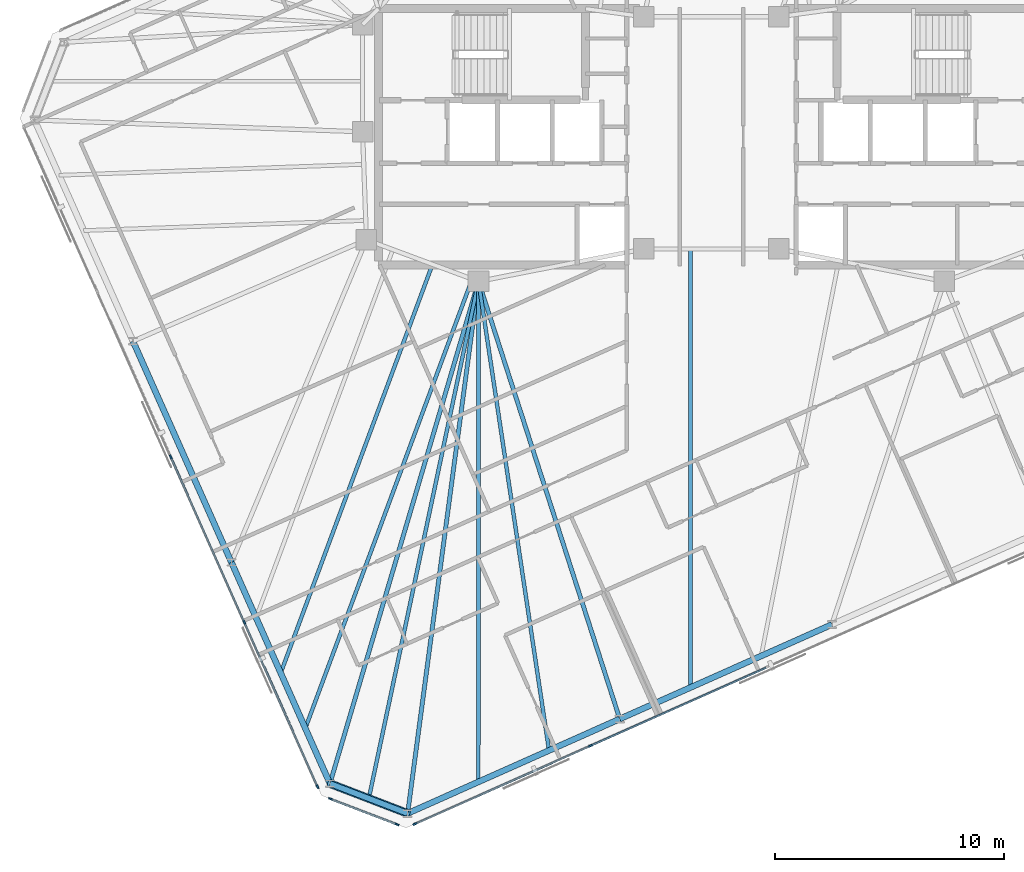
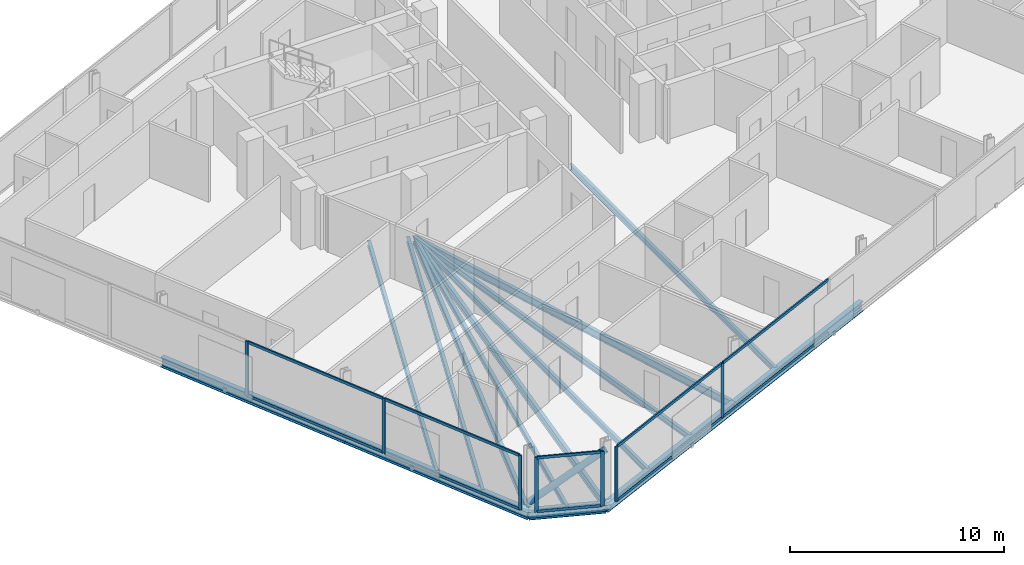
# One storey, part 5 of 19: 18 members, 14 beams, 3 elements without a shape of their own.
"""IFC4 building model written with IfcOpenShell, lengths in metres."""

import ifcopenshell
import ifcopenshell.guid

model = None  # the IFC model being written
_history = None  # IfcOwnerHistory: only IFC2X3 demands one
_inside = {}  # id of a spatial element -> (the spatial element, [elements in it])
_under = {}  # id of a project, library or spatial element -> (it, [spatial elements below it])
_declared = {}  # id of a project -> (the project, [libraries it declares])
_typed = {}  # id of a type object -> (the type object, [elements of that type])
_made_of = {}  # id of a material, layer set ... -> (it, [elements and type objects made of it])


def new_model(schema):
    """Start an empty IFC model of exactly this schema.

    Asked for "IFC4X3", IfcOpenShell would pick the latest addendum, in which some entities
    have other attributes; the version numbers below select the first issue.
    IFC2X3 requires an IfcOwnerHistory on every rooted entity: one is made here for all.
    """
    global model, _history
    if schema == "IFC4X3":
        model = ifcopenshell.file(schema_version=(4, 3, 0, 0))
    else:
        model = ifcopenshell.file(schema=schema)
    _inside.clear()
    _under.clear()
    _declared.clear()
    _typed.clear()
    _made_of.clear()
    _history = None
    if model.schema == "IFC2X3":
        org = make("IfcOrganization", Name="unknown")
        user = make(
            "IfcPersonAndOrganization",
            ThePerson=make("IfcPerson", FamilyName="unknown"),
            TheOrganization=org,
        )
        app = make(
            "IfcApplication",
            ApplicationDeveloper=org,
            Version="unknown",
            ApplicationFullName="unknown",
            ApplicationIdentifier="unknown",
        )
        _history = make(
            "IfcOwnerHistory",
            OwningUser=user,
            OwningApplication=app,
            ChangeAction="ADDED",
            CreationDate=0,
        )
    return model


def make(cls, **values):
    """One entity of the class cls with the attributes given. An attribute that is None is left unset."""
    return model.create_entity(
        cls, **{name: value for name, value in values.items() if value is not None}
    )


def rooted(cls, **values):
    """An entity with a GlobalId (a new one), such as an element, a storey or a relation."""
    return make(cls, GlobalId=ifcopenshell.guid.new(), OwnerHistory=_history, **values)


def si_unit(unit_type, name, prefix=None):
    """IfcSIUnit, for example si_unit("LENGTHUNIT", "METRE", prefix="MILLI")."""
    return make("IfcSIUnit", UnitType=unit_type, Prefix=prefix, Name=name)


def assignment(units):
    """IfcUnitAssignment: the units of a project."""
    return None if units is None else make("IfcUnitAssignment", Units=units)


def point(xyz):
    """IfcCartesianPoint."""
    return None if xyz is None else make("IfcCartesianPoint", Coordinates=xyz)


def direction(xyz):
    """IfcDirection."""
    return None if xyz is None else make("IfcDirection", DirectionRatios=xyz)


def frame(location, z_axis=None, x_axis=None):
    """IfcAxis2Placement3D, a coordinate frame: its origin and axes. An axis left out is left unset."""
    return make(
        "IfcAxis2Placement3D",
        Location=point(location),
        Axis=direction(z_axis),
        RefDirection=direction(x_axis),
    )


def frame_2d(location, x_axis=None):
    """IfcAxis2Placement2D, a coordinate frame in the plane: its origin and x axis."""
    return make(
        "IfcAxis2Placement2D", Location=point(location), RefDirection=direction(x_axis)
    )


def origin():
    """The frame at (0, 0, 0) with its axes left unset."""
    return frame((0.0, 0.0, 0.0))


def origin_2d():
    """The frame at (0, 0) in the plane with its x axis left unset."""
    return frame_2d((0.0, 0.0))


def place(relative_to, where):
    """IfcLocalPlacement: puts the frame where relative to a parent placement (None: the world)."""
    return make(
        "IfcLocalPlacement", PlacementRelTo=relative_to, RelativePlacement=where
    )


def context(
    kind, dimensions, precision=None, world=None, true_north=None, identifier=None
):
    """IfcGeometricRepresentationContext, for example the 3D "Model" context."""
    return make(
        "IfcGeometricRepresentationContext",
        ContextIdentifier=identifier,
        ContextType=kind,
        CoordinateSpaceDimension=dimensions,
        Precision=precision,
        WorldCoordinateSystem=world,
        TrueNorth=true_north,
    )


def subcontext(parent, identifier, kind, view, scale=None):
    """IfcGeometricRepresentationSubContext, for example "Body" below "Model"."""
    return make(
        "IfcGeometricRepresentationSubContext",
        ContextIdentifier=identifier,
        ContextType=kind,
        ParentContext=parent,
        TargetScale=scale,
        TargetView=view,
    )


def project(units=None, contexts=None):
    """IfcProject with its units and contexts."""
    return rooted(
        "IfcProject",
        Name="project",
        RepresentationContexts=contexts,
        UnitsInContext=assignment(units),
    )


def spatial(cls, under=None, at=None, **own):
    """A site, building, storey or space (cls), placed at a placement, below another one or the project."""
    s = rooted(cls, ObjectPlacement=at, **own)
    if under is not None:
        _under.setdefault(under.id(), (under, []))[1].append(s)
    return s


def profile(cls, at=None, kind="AREA", **sizes):
    """A parametric profile (cls). Its sizes go by their IFC names, for example OverallWidth=200.0."""
    return make(cls, ProfileType=kind, Position=at, **sizes)


def rectangle(**sizes):
    """IfcRectangleProfileDef."""
    return profile("IfcRectangleProfileDef", **sizes)


def hollow_circle(**sizes):
    """IfcCircleHollowProfileDef."""
    return profile("IfcCircleHollowProfileDef", **sizes)


def i_section(**sizes):
    """IfcIShapeProfileDef."""
    return profile("IfcIShapeProfileDef", **sizes)


def extrude(swept, where, along, depth):
    """IfcExtrudedAreaSolid: the profile swept, set in the frame where, extruded along a direction by depth."""
    return make(
        "IfcExtrudedAreaSolid",
        SweptArea=swept,
        Position=where,
        ExtrudedDirection=direction(along),
        Depth=depth,
    )


def shape(context_of_items, identifier, shape_type, items):
    """IfcShapeRepresentation: the items that make up one representation, for example the "Body"."""
    return make(
        "IfcShapeRepresentation",
        ContextOfItems=context_of_items,
        RepresentationIdentifier=identifier,
        RepresentationType=shape_type,
        Items=items,
    )


def material(Name=None, Category=None):
    """IfcMaterial."""
    return make("IfcMaterial", Name=Name, Category=Category)


def material_profile(
    of_material, cross_section, Name=None, Category=None, Priority=None
):
    """IfcMaterialProfile: a cross section and its material."""
    return make(
        "IfcMaterialProfile",
        Name=Name,
        Material=of_material,
        Profile=cross_section,
        Priority=Priority,
        Category=Category,
    )


def profile_set(profiles, Name=None, composite=None):
    """IfcMaterialProfileSet."""
    return make(
        "IfcMaterialProfileSet",
        Name=Name,
        MaterialProfiles=profiles,
        CompositeProfile=composite,
    )


def made_of(thing, what):
    """Note that an element or type object is made of a material, layer set ...; save() writes the relation."""
    if what is not None:
        _made_of.setdefault(what.id(), (what, []))[1].append(thing)
    return thing


def type_object(cls, material=None, **own):
    """A type object (cls), such as IfcWallType, which elements share."""
    return made_of(rooted(cls, **own), material)


def element(
    cls,
    number,
    at=None,
    inside=None,
    cuts=None,
    type_object=None,
    material=None,
    context=None,
    identifier="Body",
    shape_type=None,
    held_by="IfcProductDefinitionShape",
    body=None,
    shapes=None,
    **own,
):
    """One element of the class cls, such as IfcWall. Its Tag is "e" and its number.

    at: its placement. inside: the storey or other place that contains it. cuts: it is an
    opening in that element (IfcRelVoidsElement). A single representation is given by context,
    identifier, shape_type and body (its items); several are given by shapes. held_by: the class
    of the entity that holds the representations. save() writes the other relations.
    """
    e = rooted(cls, Tag="e%d" % number, ObjectPlacement=at, **own)
    if body is not None:
        shapes = [shape(context, identifier, shape_type, body)]
    if shapes is not None:
        e.Representation = make(held_by, Representations=shapes)
    if inside is not None:
        _inside.setdefault(inside.id(), (inside, []))[1].append(e)
    if cuts is not None:
        rooted(
            "IfcRelVoidsElement", RelatingBuildingElement=cuts, RelatedOpeningElement=e
        )
    if type_object is not None:
        _typed.setdefault(type_object.id(), (type_object, []))[1].append(e)
    return made_of(e, material)


def aggregate(whole, parts):
    """IfcRelAggregates: a whole, such as a stair, and the parts it consists of."""
    return rooted("IfcRelAggregates", RelatingObject=whole, RelatedObjects=parts)


def save(model, path):
    """Write the relations noted so far, then the file.

    IfcRelAggregates (storeys below a building ...), IfcRelContainedInSpatialStructure (elements
    in a storey), IfcRelDefinesByType, IfcRelAssociatesMaterial and IfcRelDeclares: one each for
    every whole, place, type object, material and project.
    """
    for whole, parts in _under.values():
        aggregate(whole, parts)
    for where, things in _inside.values():
        rooted(
            "IfcRelContainedInSpatialStructure",
            RelatedElements=things,
            RelatingStructure=where,
        )
    for kind, things in _typed.values():
        rooted("IfcRelDefinesByType", RelatedObjects=things, RelatingType=kind)
    for what, things in _made_of.values():
        rooted("IfcRelAssociatesMaterial", RelatedObjects=things, RelatingMaterial=what)
    for by, libraries in _declared.values():
        rooted("IfcRelDeclares", RelatingContext=by, RelatedDefinitions=libraries)
    model.write(path)


model = new_model("IFC4")

# Units and contexts
model_context = context("Model", 3, precision=1e-05, world=origin(), true_north=direction((0.0, 1.0)))
body_context = subcontext(model_context, "Body", "Model", "MODEL_VIEW")
ifc_project = project(units=[si_unit("LENGTHUNIT", "METRE"), si_unit("AREAUNIT", "SQUARE_METRE"), si_unit("VOLUMEUNIT", "CUBIC_METRE"), si_unit("PLANEANGLEUNIT", "RADIAN"), si_unit("MASSUNIT", "GRAM", prefix="KILO")], contexts=[model_context])

# Site, building, storey
site_placement = place(None, origin())
site = spatial("IfcSite", under=ifc_project, at=site_placement, CompositionType="ELEMENT")
building_placement = place(site_placement, origin())
building = spatial("IfcBuilding", under=site, at=building_placement, Name="Menara Jurai Vektor", CompositionType="ELEMENT")
storey_placement = place(building_placement, frame((0.0, 0.0, 268.89990234375)))
storey = spatial("IfcBuildingStorey", under=building, at=storey_placement, Name="L72", CompositionType="ELEMENT", Elevation=268.89990234375)

# Curtain wall, members
ifc_material_1 = material(Name="Anodised Pale Aluminium & Low-E Double Glazing", Category="aluminium")
curtain_wall_type = type_object("IfcCurtainWallType", Name="CW-BLK5", PredefinedType="NOTDEFINED", material=ifc_material_1)
curtain_wall_1_placement = place(storey_placement, origin())
curtain_wall_1 = element("IfcCurtainWall", 1, at=curtain_wall_1_placement, inside=storey, type_object=curtain_wall_type, Name="Unitised Curtain Wall L72 F01", PredefinedType="NOTDEFINED")
ifc_material_2 = material(Name="Anodised Pale Aluminium Mullion", Category="aluminium")
ifc_material_profile_1 = material_profile(ifc_material_2, rectangle(XDim=0.074951171875, YDim=0.175048828125, at=origin_2d()), Name="ALU MUL 75x175")
ifc_profile_set_1 = profile_set([ifc_material_profile_1], Name="Anodised Pale Aluminium Mullion")
member_type_1 = type_object("IfcMemberType", Name="CW-BLK5-MUL", PredefinedType="MULLION", material=ifc_profile_set_1)
member_1_placement = place(storey_placement, frame((-12.96875, -30.04052734375, 0.0), z_axis=(0.0, 0.0, 1.0), x_axis=(-0.406735498684, 0.913545967158, 0.0)))
member_1 = element("IfcMember", 2, at=member_1_placement, type_object=member_type_1, Name="CW-05 mullion 1", PredefinedType="MULLION", context=body_context, shape_type="SweptSolid", body=[
    extrude(rectangle(XDim=0.074951171875, YDim=0.175048828125, at=origin_2d()), origin(), (0.0, 0.0, 1.0), 3.125),
])
member_2_placement = place(storey_placement, frame((-5.292724609375, -26.623046875, 0.0), z_axis=(0.0, 0.0, 1.0), x_axis=(-0.406735498684, 0.913545967158, 0.0)))
member_2 = element("IfcMember", 3, at=member_2_placement, type_object=member_type_1, Name="CW-05 mullion 2", PredefinedType="MULLION", context=body_context, shape_type="SweptSolid", body=[
    extrude(rectangle(XDim=0.074951171875, YDim=0.175048828125, at=origin_2d()), origin(), (0.0, 0.0, 1.0), 3.125),
])

curtain_wall_2_placement = place(storey_placement, origin())
curtain_wall_2 = element("IfcCurtainWall", 4, at=curtain_wall_2_placement, inside=storey, type_object=curtain_wall_type, Name="Unitised Curtain Wall L72 F07", PredefinedType="NOTDEFINED")
member_3_placement = place(storey_placement, frame((-23.635986328125, -13.991943359375, 0.0), z_axis=(0.0, 0.0, 1.0), x_axis=(0.913546127706, 0.406735138086, 0.0)))
member_3 = element("IfcMember", 5, at=member_3_placement, type_object=member_type_1, Name="CW-05 mullion 3", PredefinedType="MULLION", context=body_context, shape_type="SweptSolid", body=[
    extrude(rectangle(XDim=0.074951171875, YDim=0.175048828125, at=origin_2d()), origin(), (0.0, 0.0, 1.0), 3.125),
])
member_4_placement = place(storey_placement, frame((-20.418701171875, -21.21826171875, 0.0), z_axis=(0.0, 0.0, 1.0), x_axis=(0.913546127706, 0.406735138086, 0.0)))
member_4 = element("IfcMember", 6, at=member_4_placement, type_object=member_type_1, Name="CW-05 mullion 4", PredefinedType="MULLION", context=body_context, shape_type="SweptSolid", body=[
    extrude(rectangle(XDim=0.074951171875, YDim=0.175048828125, at=origin_2d()), origin(), (0.0, 0.0, 1.0), 3.125),
])
member_5_placement = place(storey_placement, frame((-17.216796875, -28.41015625, 0.0), z_axis=(0.0, 0.0, 1.0), x_axis=(0.913546127706, 0.406735138086, 0.0)))
member_5 = element("IfcMember", 7, at=member_5_placement, type_object=member_type_1, Name="CW-05 mullion 5", PredefinedType="MULLION", context=body_context, shape_type="SweptSolid", body=[
    extrude(rectangle(XDim=0.074951171875, YDim=0.175048828125, at=origin_2d()), origin(), (0.0, 0.0, 1.0), 3.125),
])

curtain_wall_3_placement = place(storey_placement, origin())
curtain_wall_3 = element("IfcCurtainWall", 8, at=curtain_wall_3_placement, inside=storey, type_object=curtain_wall_type, Name="Unitised Curtain Wall L72 F08", PredefinedType="NOTDEFINED")
member_6_placement = place(storey_placement, frame((-16.656982421875, -28.94091796875, 0.0), z_axis=(0.0, 0.0, 1.0), x_axis=(0.358373766287, 0.933578193639, 0.0)))
member_6 = element("IfcMember", 9, at=member_6_placement, type_object=member_type_1, Name="CW-05 mullion 1", PredefinedType="MULLION", context=body_context, shape_type="SweptSolid", body=[
    extrude(rectangle(XDim=0.074951171875, YDim=0.175048828125, at=origin_2d()), origin(), (0.0, 0.0, 1.0), 3.125),
])
member_7_placement = place(storey_placement, frame((-13.739990234375, -30.060791015625, 0.0), z_axis=(0.0, 0.0, 1.0), x_axis=(0.358373766287, 0.933578193639, 0.0)))
member_7 = element("IfcMember", 10, at=member_7_placement, type_object=member_type_1, Name="CW-05 mullion 2", PredefinedType="MULLION", context=body_context, shape_type="SweptSolid", body=[
    extrude(rectangle(XDim=0.074951171875, YDim=0.175048828125, at=origin_2d()), origin(), (0.0, 0.0, 1.0), 3.125),
])

# Member
ifc_material_3 = material(Name="Anodised Pale Aluminium Transom", Category="aluminium")
ifc_material_profile_2 = material_profile(ifc_material_3, rectangle(XDim=0.074951171875, YDim=0.155029296875, at=origin_2d()), Name="ALU TRN 75x155")
ifc_profile_set_2 = profile_set([ifc_material_profile_2], Name="Anodised Pale Aluminium Transom")
member_type_2 = type_object("IfcMemberType", Name="CW-BLK5-TRN", PredefinedType="USERDEFINED", material=ifc_profile_set_2)
member_8_placement = place(storey_placement, frame((-12.9345703125, -30.025390625, 0.03759765625), z_axis=(0.913542963736, 0.406742244436, 0.0), x_axis=(-0.406742244436, 0.913542963736, 0.0)))
member_8 = element("IfcMember", 11, at=member_8_placement, type_object=member_type_2, Name="CW-05 transom 1.1", ObjectType="TRANSOM", PredefinedType="USERDEFINED", context=body_context, shape_type="SweptSolid", body=[
    extrude(rectangle(XDim=0.074951171875, YDim=0.155029296875, at=origin_2d()), origin(), (0.0, 0.0, 1.0), 8.32763671875),
])

member_9_placement = place(storey_placement, frame((-12.9345703125, -30.025390625, 3.087646484375), z_axis=(0.913542963736, 0.406742244436, 0.0), x_axis=(-0.406742244436, 0.913542963736, 0.0)))
member_9 = element("IfcMember", 12, at=member_9_placement, type_object=member_type_2, Name="CW-05 transom 1.2", ObjectType="TRANSOM", PredefinedType="USERDEFINED", context=body_context, shape_type="SweptSolid", body=[
    extrude(rectangle(XDim=0.074951171875, YDim=0.155029296875, at=origin_2d()), origin(), (0.0, 0.0, 1.0), 8.32763671875),
])

member_10_placement = place(storey_placement, frame((-5.25830078125, -26.60791015625, 0.03759765625), z_axis=(0.913541747007, 0.406744977198, 0.0), x_axis=(-0.406744977198, 0.913541747007, 0.0)))
member_10 = element("IfcMember", 13, at=member_10_placement, type_object=member_type_2, Name="CW-05 transom 2.1", ObjectType="TRANSOM", PredefinedType="USERDEFINED", context=body_context, shape_type="SweptSolid", body=[
    extrude(rectangle(XDim=0.074951171875, YDim=0.155029296875, at=origin_2d()), origin(), (0.0, 0.0, 1.0), 8.36474609375),
])

member_11_placement = place(storey_placement, frame((-5.25830078125, -26.60791015625, 3.087646484375), z_axis=(0.913541747007, 0.406744977198, 0.0), x_axis=(-0.406744977198, 0.913541747007, 0.0)))
member_11 = element("IfcMember", 14, at=member_11_placement, type_object=member_type_2, Name="CW-05 transom 2.2", ObjectType="TRANSOM", PredefinedType="USERDEFINED", context=body_context, shape_type="SweptSolid", body=[
    extrude(rectangle(XDim=0.074951171875, YDim=0.155029296875, at=origin_2d()), origin(), (0.0, 0.0, 1.0), 8.36474609375),
])

aggregate(curtain_wall_1, [member_1, member_2, member_8, member_9, member_10, member_11])

member_12_placement = place(storey_placement, frame((-23.620849609375, -14.0263671875, 0.03759765625), z_axis=(0.40674264085, -0.913542787238, 0.0), x_axis=(0.913542787238, 0.40674264085, 0.0)))
member_12 = element("IfcMember", 15, at=member_12_placement, type_object=member_type_2, Name="CW-05 transom 3.1", ObjectType="TRANSOM", PredefinedType="USERDEFINED", context=body_context, shape_type="SweptSolid", body=[
    extrude(rectangle(XDim=0.074951171875, YDim=0.155029296875, at=origin_2d()), origin(), (0.0, 0.0, 1.0), 7.8349609375),
])

member_13_placement = place(storey_placement, frame((-23.620849609375, -14.0263671875, 3.087646484375), z_axis=(0.40674264085, -0.913542787238, 0.0), x_axis=(0.913542787238, 0.40674264085, 0.0)))
member_13 = element("IfcMember", 16, at=member_13_placement, type_object=member_type_2, Name="CW-05 transom 3.2", ObjectType="TRANSOM", PredefinedType="USERDEFINED", context=body_context, shape_type="SweptSolid", body=[
    extrude(rectangle(XDim=0.074951171875, YDim=0.155029296875, at=origin_2d()), origin(), (0.0, 0.0, 1.0), 7.8349609375),
])

member_14_placement = place(storey_placement, frame((-20.403564453125, -21.25244140625, 0.03759765625), z_axis=(0.406751345283, -0.913538911656, 0.0), x_axis=(0.913538911656, 0.406751345283, 0.0)))
member_14 = element("IfcMember", 17, at=member_14_placement, type_object=member_type_2, Name="CW-05 transom 4.1", ObjectType="TRANSOM", PredefinedType="USERDEFINED", context=body_context, shape_type="SweptSolid", body=[
    extrude(rectangle(XDim=0.074951171875, YDim=0.155029296875, at=origin_2d()), origin(), (0.0, 0.0, 1.0), 7.79736328125),
])

member_15_placement = place(storey_placement, frame((-20.403564453125, -21.25244140625, 3.087646484375), z_axis=(0.406751345283, -0.913538911656, 0.0), x_axis=(0.913538911656, 0.406751345283, 0.0)))
member_15 = element("IfcMember", 18, at=member_15_placement, type_object=member_type_2, Name="CW-05 transom 4.2", ObjectType="TRANSOM", PredefinedType="USERDEFINED", context=body_context, shape_type="SweptSolid", body=[
    extrude(rectangle(XDim=0.074951171875, YDim=0.155029296875, at=origin_2d()), origin(), (0.0, 0.0, 1.0), 7.79736328125),
])

aggregate(curtain_wall_2, [member_3, member_4, member_5, member_12, member_13, member_14, member_15])

member_16_placement = place(storey_placement, frame((-16.6220703125, -28.95458984375, 0.03759765625), z_axis=(0.933597094911, -0.358324523823, 0.0), x_axis=(0.358324523823, 0.933597094911, 0.0)))
member_16 = element("IfcMember", 19, at=member_16_placement, type_object=member_type_2, Name="CW-05 transom 1.1", ObjectType="TRANSOM", PredefinedType="USERDEFINED", context=body_context, shape_type="SweptSolid", body=[
    extrude(rectangle(XDim=0.074951171875, YDim=0.155029296875, at=origin_2d()), origin(), (0.0, 0.0, 1.0), 3.049560546875),
])

member_17_placement = place(storey_placement, frame((-16.6220703125, -28.95458984375, 3.087646484375), z_axis=(0.933597094911, -0.358324523823, 0.0), x_axis=(0.358324523823, 0.933597094911, 0.0)))
member_17 = element("IfcMember", 20, at=member_17_placement, type_object=member_type_2, Name="CW-05 transom 1.2", ObjectType="TRANSOM", PredefinedType="USERDEFINED", context=body_context, shape_type="SweptSolid", body=[
    extrude(rectangle(XDim=0.074951171875, YDim=0.155029296875, at=origin_2d()), origin(), (0.0, 0.0, 1.0), 3.049560546875),
])

aggregate(curtain_wall_3, [member_6, member_7, member_16, member_17])

# Beams
ifc_material_4 = material(Name="Steel S355", Category="steel")
ifc_material_profile_3 = material_profile(ifc_material_4, i_section(OverallWidth=0.18505859375, OverallDepth=0.429931640625, WebThickness=0.010986328125, FlangeThickness=0.01806640625, at=origin_2d()), Name="PG 430x185x76")
ifc_profile_set_3 = profile_set([ifc_material_profile_3], Name="Steel S355")
beam_type_1 = type_object("IfcBeamType", Name="STR-BM-430", PredefinedType="BEAM", material=ifc_profile_set_3)
beam_1_placement = place(storey_placement, frame((-13.279541015625, -29.576904296875, -0.43994140625), z_axis=(0.132109192855, 0.991235169454, 0.0), x_axis=(-0.991235169454, 0.132109192855, 0.0)))
element("IfcBeam", 21, at=beam_1_placement, inside=storey, type_object=beam_type_1, Name="Radial Floor Girder L72-S1", PredefinedType="BEAM", context=body_context, shape_type="SweptSolid", body=[
    extrude(i_section(OverallWidth=0.18505859375, OverallDepth=0.429931640625, WebThickness=0.010986328125, FlangeThickness=0.01806640625, at=origin_2d()), origin(), (0.0, 0.0, 1.0), 23.46240234375),
])
beam_2_placement = place(storey_placement, frame((-4.006103515625, -25.4482421875, -0.43994140625), z_axis=(-0.307158217721, 0.95165846252, 0.0), x_axis=(-0.95165846252, -0.307158217721, 0.0)))
element("IfcBeam", 22, at=beam_2_placement, inside=storey, type_object=beam_type_1, Name="Radial Floor Girder L72-S2", PredefinedType="BEAM", context=body_context, shape_type="SweptSolid", body=[
    extrude(i_section(OverallWidth=0.18505859375, OverallDepth=0.429931640625, WebThickness=0.010986328125, FlangeThickness=0.01806640625, at=origin_2d()), origin(), (0.0, 0.0, 1.0), 20.099853515625),
])
beam_3_placement = place(storey_placement, frame((-16.675537109375, -28.2734375, -0.43994140625), z_axis=(0.283723047838, 0.958906268686, 0.0), x_axis=(-0.958906268686, 0.283723047838, 0.0)))
element("IfcBeam", 23, at=beam_3_placement, inside=storey, type_object=beam_type_1, Name="Radial Floor Girder L72-W4", PredefinedType="BEAM", context=body_context, shape_type="SweptSolid", body=[
    extrude(i_section(OverallWidth=0.18505859375, OverallDepth=0.429931640625, WebThickness=0.010986328125, FlangeThickness=0.01806640625, at=origin_2d()), origin(), (0.0, 0.0, 1.0), 22.894287109375),
])

# Member
ifc_material_5 = material(Name="Steel S460", Category="steel")
ifc_material_profile_4 = material_profile(ifc_material_5, hollow_circle(Radius=0.177734375, WallThickness=0.01611328125, at=origin_2d()), Name="CHS 355.6x16")
ifc_profile_set_4 = profile_set([ifc_material_profile_4], Name="Steel S460")
member_type_3 = type_object("IfcMemberType", Name="STR-BR-356", PredefinedType="BRACE", material=ifc_profile_set_4)
member_18_placement = place(storey_placement, frame((-16.675537109375, -28.2734375, 0.150146484375), z_axis=(0.757054002265, -0.290575939475, 0.585179340931), x_axis=(0.358335850414, 0.933592747566, 0.0)))
element("IfcMember", 24, at=member_18_placement, inside=storey, type_object=member_type_3, Name="Exoskeleton Corner Brace L72-4", PredefinedType="BRACE", context=body_context, shape_type="SweptSolid", body=[
    extrude(hollow_circle(Radius=0.177734375, WallThickness=0.01611328125, at=origin_2d()), origin(), (0.0, 0.0, 1.0), 4.48583984375),
])

# Beams
ifc_material_profile_5 = material_profile(ifc_material_4, i_section(OverallWidth=0.1650390625, OverallDepth=0.330078125, WebThickness=0.009033203125, FlangeThickness=0.013916015625, at=origin_2d()), Name="PG 330x165x46")
ifc_profile_set_5 = profile_set([ifc_material_profile_5], Name="Steel S355")
beam_type_2 = type_object("IfcBeamType", Name="STR-JS-330", PredefinedType="JOIST", material=ifc_profile_set_5)
beam_4_placement = place(storey_placement, frame((-10.188232421875, -28.20068359375, -0.389892578125), z_axis=(0.000379366876, 0.99999992804, 0.0), x_axis=(-0.99999992804, 0.000379366876, 0.0)))
element("IfcBeam", 25, at=beam_4_placement, inside=storey, type_object=beam_type_2, Name="Radial Secondary Floor Joist L72-JS01", PredefinedType="JOIST", context=body_context, shape_type="SweptSolid", body=[
    extrude(i_section(OverallWidth=0.1650390625, OverallDepth=0.330078125, WebThickness=0.009033203125, FlangeThickness=0.013916015625, at=origin_2d()), origin(), (0.0, 0.0, 1.0), 21.880615234375),
])
beam_5_placement = place(storey_placement, frame((-7.09716796875, -26.824462890625, -0.389892578125), z_axis=(-0.148675540239, 0.988886031722, 0.0), x_axis=(-0.988886031722, -0.148675540239, 0.0)))
element("IfcBeam", 26, at=beam_5_placement, inside=storey, type_object=beam_type_2, Name="Radial Secondary Floor Joist L72-JS02", PredefinedType="JOIST", context=body_context, shape_type="SweptSolid", body=[
    extrude(i_section(OverallWidth=0.1650390625, OverallDepth=0.330078125, WebThickness=0.009033203125, FlangeThickness=0.013916015625, at=origin_2d()), origin(), (0.0, 0.0, 1.0), 20.73486328125),
])
beam_6_placement = place(storey_placement, frame((-0.914794921875, -24.072021484375, -0.389892578125), z_axis=(0.0, 1.0, 0.0), x_axis=(-1.0, 0.0, 0.0)))
element("IfcBeam", 27, at=beam_6_placement, inside=storey, type_object=beam_type_2, Name="Radial Secondary Floor Joist L72-JS03", PredefinedType="JOIST", context=body_context, shape_type="SweptSolid", body=[
    extrude(i_section(OverallWidth=0.1650390625, OverallDepth=0.330078125, WebThickness=0.009033203125, FlangeThickness=0.013916015625, at=origin_2d()), origin(), (0.0, 0.0, 1.0), 19.172119140625),
])
beam_7_placement = place(storey_placement, frame((-18.828125, -23.4384765625, -0.389892578125), z_axis=(0.348177845571, 0.937428497462, 0.0), x_axis=(-0.937428497462, 0.348177845571, 0.0)))
element("IfcBeam", 28, at=beam_7_placement, inside=storey, type_object=beam_type_2, Name="Radial Secondary Floor Joist L72-JS29", PredefinedType="JOIST", context=body_context, shape_type="SweptSolid", body=[
    extrude(i_section(OverallWidth=0.1650390625, OverallDepth=0.330078125, WebThickness=0.009033203125, FlangeThickness=0.013916015625, at=origin_2d()), origin(), (0.0, 0.0, 1.0), 19.05859375),
])
beam_8_placement = place(storey_placement, frame((-17.751953125, -25.85595703125, -0.389892578125), z_axis=(0.348185651823, 0.937425598042, 0.0), x_axis=(-0.937425598042, 0.348185651823, 0.0)))
element("IfcBeam", 29, at=beam_8_placement, inside=storey, type_object=beam_type_2, Name="Radial Secondary Floor Joist L72-JS30", PredefinedType="JOIST", context=body_context, shape_type="SweptSolid", body=[
    extrude(i_section(OverallWidth=0.1650390625, OverallDepth=0.330078125, WebThickness=0.009033203125, FlangeThickness=0.013916015625, at=origin_2d()), origin(), (0.0, 0.0, 1.0), 20.949951171875),
])
beam_9_placement = place(storey_placement, frame((-14.9775390625, -28.92529296875, -0.389892578125), z_axis=(0.207610208592, 0.978211634202, 0.0), x_axis=(-0.978211634202, 0.207610208592, 0.0)))
element("IfcBeam", 30, at=beam_9_placement, inside=storey, type_object=beam_type_2, Name="Radial Secondary Floor Joist L72-JS31", PredefinedType="JOIST", context=body_context, shape_type="SweptSolid", body=[
    extrude(i_section(OverallWidth=0.1650390625, OverallDepth=0.330078125, WebThickness=0.009033203125, FlangeThickness=0.013916015625, at=origin_2d()), origin(), (0.0, 0.0, 1.0), 23.108642578125),
])
ifc_material_profile_6 = material_profile(ifc_material_4, i_section(OverallWidth=0.260009765625, OverallDepth=0.570068359375, WebThickness=0.013916015625, FlangeThickness=0.02392578125, at=origin_2d()), Name="PG 570x260x145")
ifc_profile_set_6 = profile_set([ifc_material_profile_6], Name="Steel S355")
beam_type_3 = type_object("IfcBeamType", Name="STR-SP-570", PredefinedType="SPANDREL", material=ifc_profile_set_6)
beam_10_placement = place(storey_placement, frame((-13.279541015625, -29.576904296875, -0.510009765625), z_axis=(0.913550519143, 0.406725274569, 0.0), x_axis=(-0.406725274569, 0.913550519143, 0.0)))
element("IfcBeam", 31, at=beam_10_placement, inside=storey, type_object=beam_type_3, Name="Exoskeleton Spandrel Beam L72-01", PredefinedType="SPANDREL", context=body_context, shape_type="SweptSolid", body=[
    extrude(i_section(OverallWidth=0.260009765625, OverallDepth=0.570068359375, WebThickness=0.013916015625, FlangeThickness=0.02392578125, at=origin_2d()), origin(), (0.0, 0.0, 1.0), 10.15087890625),
])
beam_11_placement = place(storey_placement, frame((-4.006103515625, -25.4482421875, -0.510009765625), z_axis=(0.913545561407, 0.406736410017, 0.0), x_axis=(-0.406736410017, 0.913545561407, 0.0)))
element("IfcBeam", 32, at=beam_11_placement, inside=storey, type_object=beam_type_3, Name="Exoskeleton Spandrel Beam L72-02", PredefinedType="SPANDREL", context=body_context, shape_type="SweptSolid", body=[
    extrude(i_section(OverallWidth=0.260009765625, OverallDepth=0.570068359375, WebThickness=0.013916015625, FlangeThickness=0.02392578125, at=origin_2d()), origin(), (0.0, 0.0, 1.0), 10.1513671875),
])
for number, where, z_axis, x_axis, name in (
    (33, (-25.286376953125, -8.933349609375, -0.510009765625), (0.406744000616, -0.913542181819, 0.0), (0.913542181819, 0.406744000616, 0.0), "Exoskeleton Spandrel Beam L72-18"),
    (34, (-20.98095703125, -18.603271484375, -0.510009765625), (0.40673543049, -0.91354599752, 0.0), (0.91354599752, 0.40673543049, 0.0), "Exoskeleton Spandrel Beam L72-19"),
):
    element("IfcBeam", number, at=place(storey_placement, frame(where, z_axis=z_axis, x_axis=x_axis)), inside=storey, type_object=beam_type_3, Name=name, PredefinedType="SPANDREL", context=body_context, shape_type="SweptSolid", body=[
        extrude(i_section(OverallWidth=0.260009765625, OverallDepth=0.570068359375, WebThickness=0.013916015625, FlangeThickness=0.02392578125, at=origin_2d()), origin(), (0.0, 0.0, 1.0), 10.585205078125),
    ])
beam_12_placement = place(storey_placement, frame((-16.675537109375, -28.2734375, -0.510009765625), z_axis=(0.933592747566, -0.358335850414, 0.0), x_axis=(0.358335850414, 0.933592747566, 0.0)))
element("IfcBeam", 35, at=beam_12_placement, inside=storey, type_object=beam_type_3, Name="Exoskeleton Spandrel Beam L72-20", PredefinedType="SPANDREL", context=body_context, shape_type="SweptSolid", body=[
    extrude(i_section(OverallWidth=0.260009765625, OverallDepth=0.570068359375, WebThickness=0.013916015625, FlangeThickness=0.02392578125, at=origin_2d()), origin(), (0.0, 0.0, 1.0), 3.637451171875),
])

save(model, "model.ifc")
